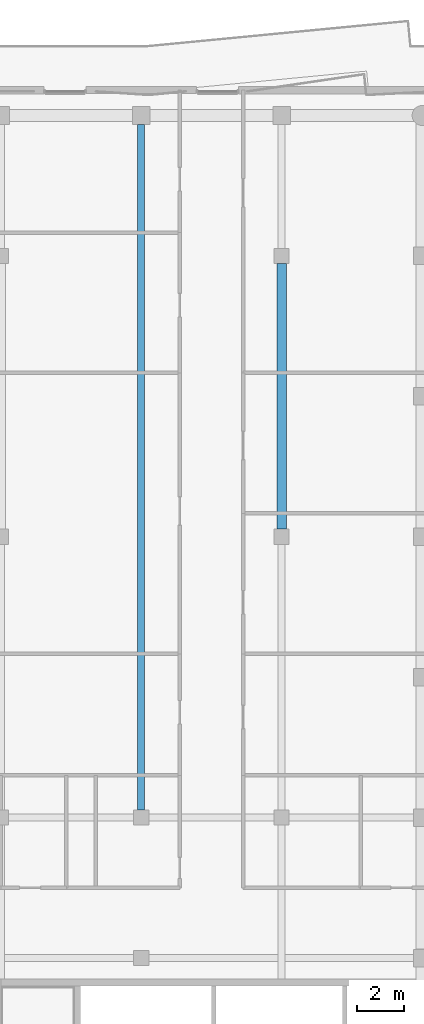
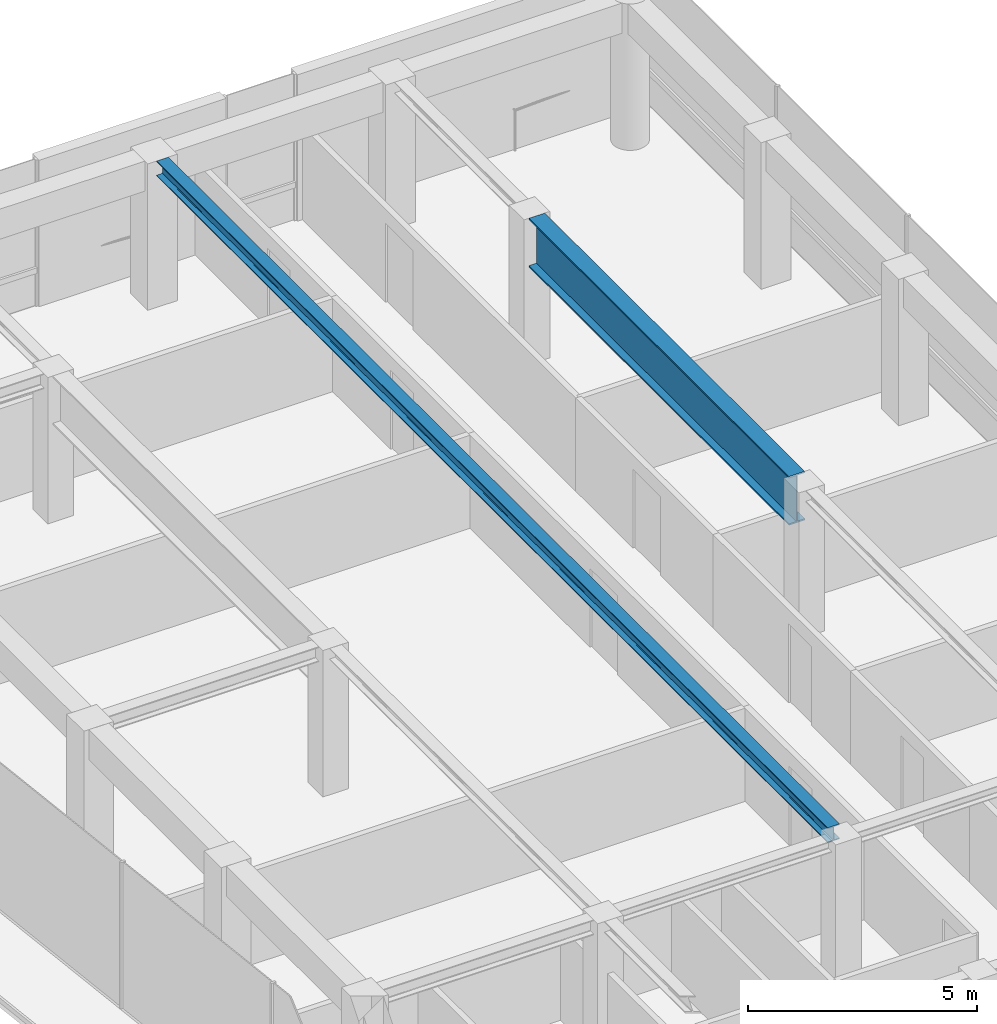
# One storey, part 12 of 22: 2 beams.
"""IFC4 building model written with IfcOpenShell, lengths in metres."""

from ifc_helpers import new_model, si_unit, direction, frame, origin, origin_2d, place, context, subcontext, project, spatial, i_section, extrude, material, material_profile, profile_set, type_object, element, save


model = new_model("IFC4")

# Units and contexts
model_context = context("Model", 3, precision=1e-05, world=origin(), true_north=direction((0.0, 1.0)))
body_context = subcontext(model_context, "Body", "Model", "MODEL_VIEW")
ifc_project = project(units=[si_unit("LENGTHUNIT", "METRE"), si_unit("AREAUNIT", "SQUARE_METRE"), si_unit("VOLUMEUNIT", "CUBIC_METRE"), si_unit("PLANEANGLEUNIT", "RADIAN"), si_unit("MASSUNIT", "GRAM", prefix="KILO")], contexts=[model_context])

# Site, building, storey
site_placement = place(None, origin())
site = spatial("IfcSite", under=ifc_project, at=site_placement, CompositionType="ELEMENT")
building_placement = place(site_placement, origin())
building = spatial("IfcBuilding", under=site, at=building_placement, Name="Welwitschia Terrace Campus", CompositionType="ELEMENT")
storey_placement = place(building_placement, frame((0.0, 0.0, 310.39990234375)))
storey = spatial("IfcBuildingStorey", under=building, at=storey_placement, Name="L69", CompositionType="ELEMENT", Elevation=310.39990234375)

# Beams
ifc_material_1 = material(Name="Steel S355", Category="steel")
ifc_material_profile_1 = material_profile(ifc_material_1, i_section(OverallWidth=0.300048828125, OverallDepth=0.39990234375, WebThickness=0.013427734375, FlangeThickness=0.02392578125, FilletRadius=0.027099609375, at=origin_2d()))
ifc_profile_set_1 = profile_set([ifc_material_profile_1], Name="Steel S355")
beam_type_1 = type_object("IfcBeamType", Name="Primary beam HE 400 B", PredefinedType="BEAM", material=ifc_profile_set_1)
beam_1_placement = place(storey_placement, frame((12.0, 61.62451171875, 3.7001953125), z_axis=(0.0, -1.0, 0.0), x_axis=(1.0, 0.0, 0.0)))
element("IfcBeam", 1, at=beam_1_placement, inside=storey, type_object=beam_type_1, Name="Primary beam PB6", PredefinedType="BEAM", context=body_context, shape_type="SweptSolid", body=[
    extrude(i_section(OverallWidth=0.300048828125, OverallDepth=0.39990234375, WebThickness=0.013427734375, FlangeThickness=0.02392578125, FilletRadius=0.027099609375, at=origin_2d()), origin(), (0.0, 0.0, 1.0), 29.299072265625),
])
ifc_material_2 = material(Name="Steel S355", Category="steel")
ifc_material_profile_2 = material_profile(ifc_material_2, i_section(OverallWidth=0.39990234375, OverallDepth=1.300048828125, WebThickness=0.02490234375, FlangeThickness=0.0400390625, at=origin_2d()))
ifc_profile_set_2 = profile_set([ifc_material_profile_2], Name="Steel S355")
beam_type_2 = type_object("IfcBeamType", Name="Transfer girder WI 1300x400x25x40", PredefinedType="BEAM", material=ifc_profile_set_2)
beam_2_placement = place(storey_placement, frame((18.0, 44.325439453125, 3.25), z_axis=(0.0, 1.0, 0.0), x_axis=(-1.0, 0.0, 0.0)))
element("IfcBeam", 2, at=beam_2_placement, inside=storey, type_object=beam_type_2, Name="Transfer girder TG1", PredefinedType="BEAM", context=body_context, shape_type="SweptSolid", body=[
    extrude(i_section(OverallWidth=0.39990234375, OverallDepth=1.300048828125, WebThickness=0.02490234375, FlangeThickness=0.0400390625, at=origin_2d()), origin(), (0.0, 0.0, 1.0), 11.34912109375),
])

save(model, "model.ifc")
